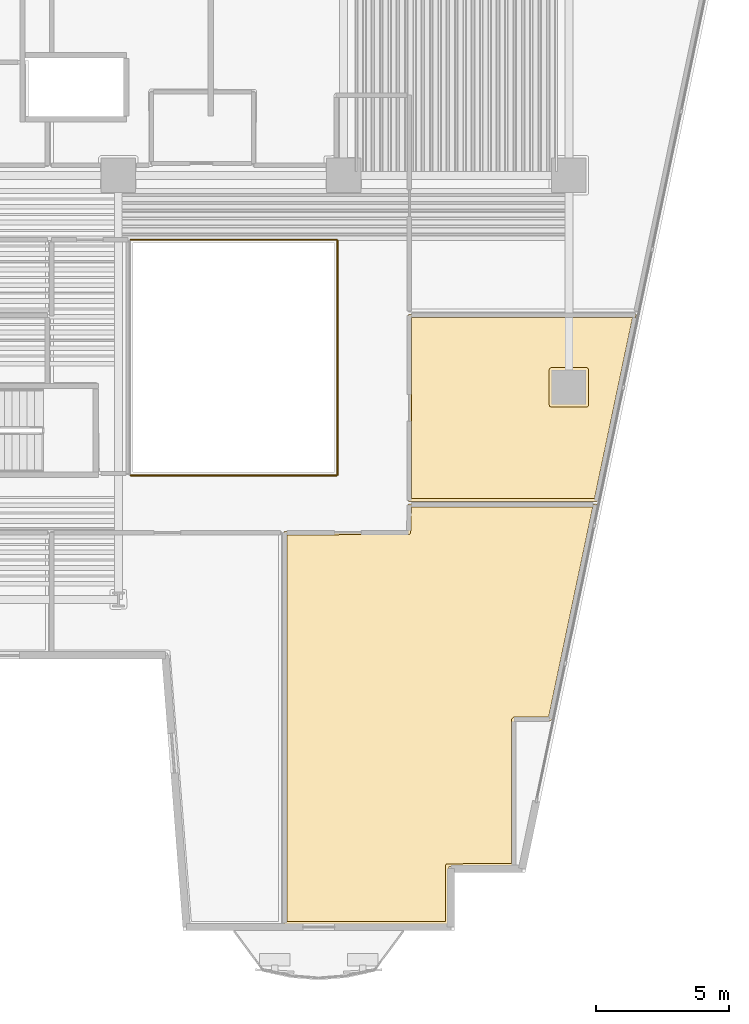
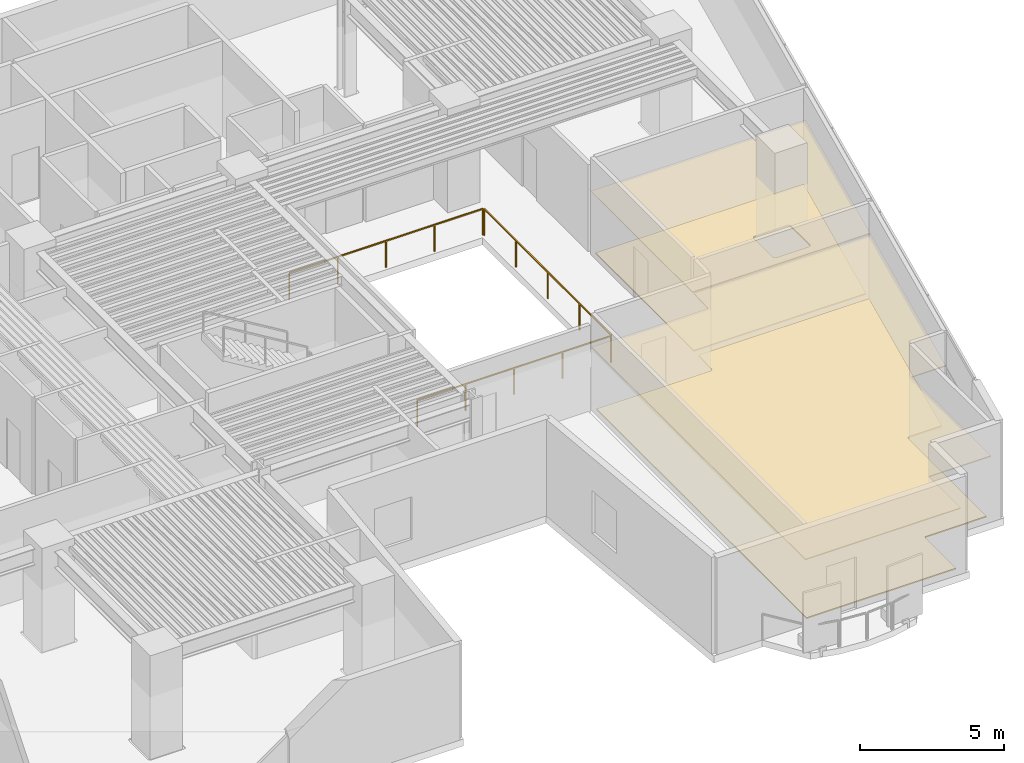
# One storey, part 9 of 11: 4 coverings, 3 railings.
"""IFC4 building model written with IfcOpenShell, lengths in metres."""

from ifc_helpers import new_model, si_unit, direction, frame, origin, origin_2d, place, context, subcontext, project, spatial, polyline, rectangle, outline, extrude, material, layer, layer_set, type_object, element, save


model = new_model("IFC4")

# Units and contexts
model_context = context("Model", 3, precision=1e-05, world=origin(), true_north=direction((0.0, 1.0)))
body_context = subcontext(model_context, "Body", "Model", "MODEL_VIEW")
ifc_project = project(units=[si_unit("LENGTHUNIT", "METRE"), si_unit("AREAUNIT", "SQUARE_METRE"), si_unit("VOLUMEUNIT", "CUBIC_METRE"), si_unit("PLANEANGLEUNIT", "RADIAN"), si_unit("MASSUNIT", "GRAM", prefix="KILO")], contexts=[model_context])

# Site, building, storey
site_placement = place(None, origin())
site = spatial("IfcSite", under=ifc_project, at=site_placement, CompositionType="ELEMENT")
building_placement = place(site_placement, origin())
building = spatial("IfcBuilding", under=site, at=building_placement, Name="Caeloran Harvest Quay", CompositionType="ELEMENT")
storey_placement = place(building_placement, frame((0.0, 0.0, 62.199951171875)))
storey = spatial("IfcBuildingStorey", under=building, at=storey_placement, Name="L14", CompositionType="ELEMENT", Elevation=62.199951171875)

# Coverings
ifc_material_1 = material(Name="Perforated Mineral-Fibre Acoustic Ceiling Tile", Category="ceiling")
ifc_layer_1 = layer(ifc_material_1, 0.0400390625, Name="Perforated Mineral-Fibre Acoustic Ceiling Tile")
ifc_layer_set_1 = layer_set([ifc_layer_1], Name="Perforated Mineral-Fibre Acoustic Ceiling Tile")
covering_type_1 = type_object("IfcCoveringType", Name="COV-CEILING-ACOUSTIC", PredefinedType="CEILING", material=ifc_layer_set_1)
covering_1_placement = place(storey_placement, frame((0.0, 0.0, 2.60009765625)))
element("IfcCovering", 1, at=covering_1_placement, inside=storey, type_object=covering_type_1, Name="Hydroponic Culinary Kitchen Acoustic Ceiling", PredefinedType="CEILING", context=body_context, shape_type="SweptSolid", body=[
    extrude(outline(polyline([(52.04638671875, 18.610107421875), (50.330078125, 10.43994140625), (48.9599609375, 10.43994140625), (48.9599609375, 4.919921875), (46.467041015625, 4.919921875), (46.467041015625, 2.719970703125), (40.239990234375, 2.719970703125), (40.239990234375, 17.56005859375), (44.9111328125, 17.56005859375), (44.941162109375, 18.610107421875), (52.04638671875, 18.610107421875)])), origin(), (0.0, 0.0, 1.0), 0.0400390625),
])
covering_2_placement = place(storey_placement, frame((0.0, 0.0, 2.60009765625)))
element("IfcCovering", 2, at=covering_2_placement, inside=storey, type_object=covering_type_1, Name="Mycology QA Laboratory Acoustic Ceiling", PredefinedType="CEILING", context=body_context, shape_type="SweptSolid", body=[
    extrude(outline(polyline([(44.93994140625, 18.68994140625), (44.93994140625, 25.760009765625), (53.548583984375, 25.760009765625), (52.063232421875, 18.68994140625), (44.93994140625, 18.68994140625)])), origin(), (0.0, 0.0, 1.0), 0.0400390625),
])
ifc_material_2 = material(Name="Calcium-Sulphate Raised Access Floor and Terrazzo Finish", Category="flooring")
ifc_layer_2 = layer(ifc_material_2, 0.050048828125, Name="Calcium-Sulphate Raised Access Floor and Terrazzo Finish")
ifc_layer_set_2 = layer_set([ifc_layer_2], Name="Calcium-Sulphate Raised Access Floor and Terrazzo Finish")
covering_type_2 = type_object("IfcCoveringType", Name="COV-FLOOR-RAISED", PredefinedType="FLOORING", material=ifc_layer_set_2)
covering_3_placement = place(storey_placement, origin())
element("IfcCovering", 3, at=covering_3_placement, inside=storey, type_object=covering_type_2, Name="Hydroponic Culinary Kitchen Raised Finish Flooring", PredefinedType="FLOORING", context=body_context, shape_type="SweptSolid", body=[
    extrude(outline(polyline([(51.898681640625, 18.489990234375), (50.23291015625, 10.56005859375), (48.919921875, 10.56005859375), (48.841552734375, 10.49560546875), (48.840087890625, 5.0400390625), (46.376220703125, 5.021728515625), (46.346923828125, 4.9599609375), (46.346923828125, 2.840087890625), (40.360107421875, 2.840087890625), (40.360107421875, 17.43994140625), (44.96533203125, 17.44140625), (45.029296875, 17.510009765625), (45.0576171875, 18.489990234375), (51.898681640625, 18.489990234375)])), origin(), (0.0, 0.0, 1.0), 0.050048828125),
])
covering_4_placement = place(storey_placement, origin())
element("IfcCovering", 4, at=covering_4_placement, inside=storey, type_object=covering_type_2, Name="Mycology QA Laboratory Raised Finish Flooring", PredefinedType="FLOORING", context=body_context, shape_type="SweptSolid", body=[
    extrude(outline(polyline([(51.9658203125, 18.81005859375), (45.06005859375, 18.81005859375), (45.06005859375, 25.639892578125), (53.400634765625, 25.639892578125), (51.9658203125, 18.81005859375)]), holes=[polyline([(51.7451171875, 23.6650390625), (51.7216796875, 23.7216796875), (51.6650390625, 23.7451171875), (50.3349609375, 23.7451171875), (50.2783203125, 23.7216796875), (50.2548828125, 23.6650390625), (50.2548828125, 22.3349609375), (50.2783203125, 22.2783203125), (50.3349609375, 22.2548828125), (51.6650390625, 22.2548828125), (51.7216796875, 22.2783203125), (51.7451171875, 22.3349609375), (51.7451171875, 23.6650390625)])]), origin(), (0.0, 0.0, 1.0), 0.050048828125),
])

# Railings
ifc_material_3 = material(Name="Powder-Coated Steel Post and Laminated Glass Guardrail", Category="steel")
ifc_layer_3 = layer(ifc_material_3, 0.06005859375, Name="Powder-Coated Steel Post and Laminated Glass Guardrail")
ifc_layer_set_3 = layer_set([ifc_layer_3], Name="Powder-Coated Steel Post and Laminated Glass Guardrail")
railing_type = type_object("IfcRailingType", Name="GUARD-ATRIUM-1150", PredefinedType="GUARDRAIL", material=ifc_layer_set_3)
railing_1_placement = place(storey_placement, frame((34.4619140625, 19.679931640625, 0.0)))
element("IfcRailing", 5, at=railing_1_placement, inside=storey, type_object=railing_type, Name="L14 East Botanical Lightwell Guardrail Seg 1", PredefinedType="GUARDRAIL", context=body_context, shape_type="SweptSolid", body=[
    extrude(rectangle(XDim=0.048095703125, YDim=0.048095703125, at=origin_2d()), frame((0.0, 0.0, 1.1259765625), z_axis=(1.0, 0.0, 0.0), x_axis=(0.0, 1.0, 0.0)), (0.0, 0.0, 1.0), 7.776123046875),
    extrude(rectangle(XDim=0.0419921875, YDim=0.0419921875, at=origin_2d()), origin(), (0.0, 0.0, 1.0), 1.101806640625),
    extrude(rectangle(XDim=0.0419921875, YDim=0.0419921875, at=origin_2d()), frame((1.944091796875, 0.0, 0.0)), (0.0, 0.0, 1.0), 1.101806640625),
    extrude(rectangle(XDim=0.0419921875, YDim=0.0419921875, at=origin_2d()), frame((3.88818359375, 0.0, 0.0)), (0.0, 0.0, 1.0), 1.101806640625),
    extrude(rectangle(XDim=0.0419921875, YDim=0.0419921875, at=origin_2d()), frame((5.83203125, 0.0, 0.0)), (0.0, 0.0, 1.0), 1.101806640625),
    extrude(rectangle(XDim=0.0419921875, YDim=0.0419921875, at=origin_2d()), frame((7.776123046875, 0.0, 0.0)), (0.0, 0.0, 1.0), 1.101806640625),
])
railing_2_placement = place(storey_placement, frame((42.27001953125, 19.7119140625, 0.0)))
element("IfcRailing", 6, at=railing_2_placement, inside=storey, type_object=railing_type, Name="L14 East Botanical Lightwell Guardrail Seg 2", PredefinedType="GUARDRAIL", context=body_context, shape_type="SweptSolid", body=[
    extrude(rectangle(XDim=0.048095703125, YDim=0.048095703125, at=origin_2d()), frame((0.0, 0.0, 1.1259765625), z_axis=(0.0, 1.0, 0.0), x_axis=(-1.0, 0.0, 0.0)), (0.0, 0.0, 1.0), 8.826171875),
    extrude(rectangle(XDim=0.0419921875, YDim=0.0419921875, at=origin_2d()), origin(), (0.0, 0.0, 1.0), 1.101806640625),
    extrude(rectangle(XDim=0.0419921875, YDim=0.0419921875, at=origin_2d()), frame((0.0, 2.20654296875, 0.0)), (0.0, 0.0, 1.0), 1.101806640625),
    extrude(rectangle(XDim=0.0419921875, YDim=0.0419921875, at=origin_2d()), frame((0.0, 4.4130859375, 0.0)), (0.0, 0.0, 1.0), 1.101806640625),
    extrude(rectangle(XDim=0.0419921875, YDim=0.0419921875, at=origin_2d()), frame((0.0, 6.61962890625, 0.0)), (0.0, 0.0, 1.0), 1.101806640625),
    extrude(rectangle(XDim=0.0419921875, YDim=0.0419921875, at=origin_2d()), frame((0.0, 8.826171875, 0.0)), (0.0, 0.0, 1.0), 1.101806640625),
])
railing_3_placement = place(storey_placement, frame((42.238037109375, 28.570068359375, 0.0)))
element("IfcRailing", 7, at=railing_3_placement, inside=storey, type_object=railing_type, Name="L14 East Botanical Lightwell Guardrail Seg 3", PredefinedType="GUARDRAIL", context=body_context, shape_type="SweptSolid", body=[
    extrude(rectangle(XDim=0.048095703125, YDim=0.048095703125, at=origin_2d()), frame((0.0, 0.0, 1.1259765625), z_axis=(-1.0, 0.0, 0.0), x_axis=(0.0, -1.0, 0.0)), (0.0, 0.0, 1.0), 7.776123046875),
    extrude(rectangle(XDim=0.0419921875, YDim=0.0419921875, at=origin_2d()), origin(), (0.0, 0.0, 1.0), 1.101806640625),
    extrude(rectangle(XDim=0.0419921875, YDim=0.0419921875, at=origin_2d()), frame((-1.944091796875, 0.0, 0.0)), (0.0, 0.0, 1.0), 1.101806640625),
    extrude(rectangle(XDim=0.0419921875, YDim=0.0419921875, at=origin_2d()), frame((-3.88818359375, 0.0, 0.0)), (0.0, 0.0, 1.0), 1.101806640625),
    extrude(rectangle(XDim=0.0419921875, YDim=0.0419921875, at=origin_2d()), frame((-5.83203125, 0.0, 0.0)), (0.0, 0.0, 1.0), 1.101806640625),
    extrude(rectangle(XDim=0.0419921875, YDim=0.0419921875, at=origin_2d()), frame((-7.776123046875, 0.0, 0.0)), (0.0, 0.0, 1.0), 1.101806640625),
])

save(model, "model.ifc")
